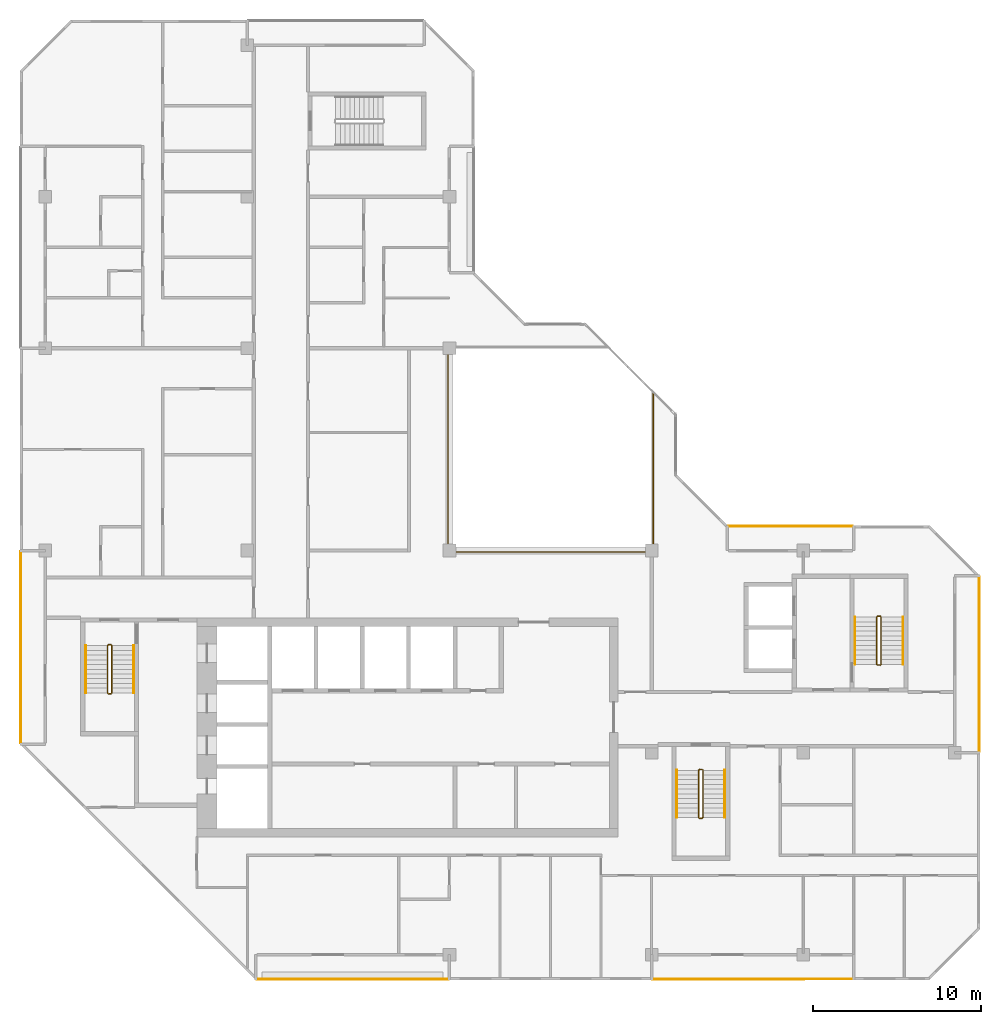
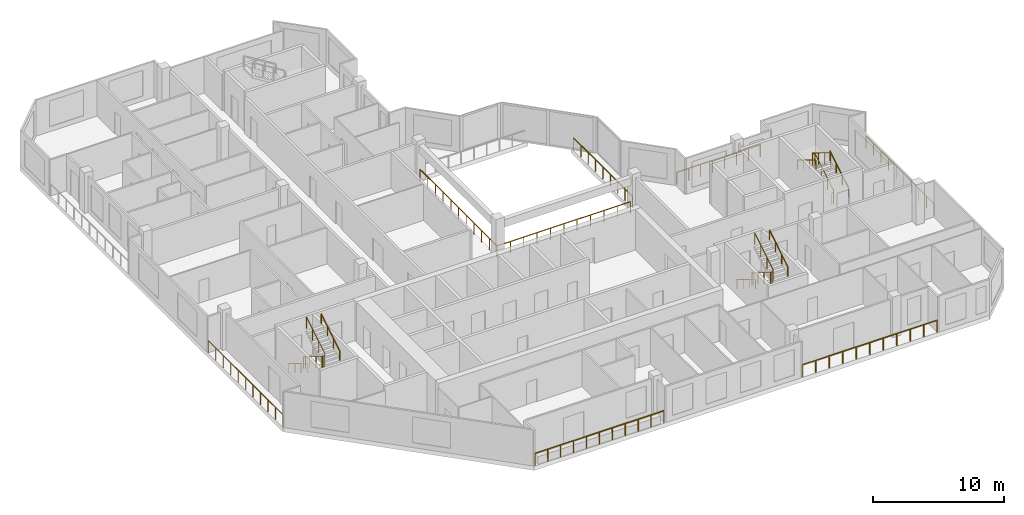
# One storey, part 11 of 12: 16 railings.
"""IFC4 building model written with IfcOpenShell, lengths in metres."""

from ifc_helpers import new_model, si_unit, direction, frame, origin, origin_2d, place, context, subcontext, project, spatial, rectangle, extrude, material, type_object, element, save


model = new_model("IFC4")

# Units and contexts
model_context = context("Model", 3, precision=1e-05, world=origin(), true_north=direction((0.0, 1.0)))
body_context = subcontext(model_context, "Body", "Model", "MODEL_VIEW")
ifc_project = project(units=[si_unit("LENGTHUNIT", "METRE"), si_unit("AREAUNIT", "SQUARE_METRE"), si_unit("VOLUMEUNIT", "CUBIC_METRE"), si_unit("PLANEANGLEUNIT", "RADIAN"), si_unit("MASSUNIT", "GRAM", prefix="KILO")], contexts=[model_context])

# Site, building, storey
site_placement = place(None, origin())
site = spatial("IfcSite", under=ifc_project, at=site_placement, CompositionType="ELEMENT")
building_placement = place(site_placement, origin())
building = spatial("IfcBuilding", under=site, at=building_placement, Name="Chenar Terraces", CompositionType="ELEMENT")
storey_placement = place(building_placement, frame((0.0, 0.0, 350.14990234375)))
storey = spatial("IfcBuildingStorey", under=building, at=storey_placement, Name="L81", CompositionType="ELEMENT", Elevation=350.14990234375)

# Railings
ifc_material_1 = material(Name="Powder-coated steel", Category="steel")
railing_type_1 = type_object("IfcRailingType", Name="Guard 1100 steel rail with glass infill", PredefinedType="GUARDRAIL", material=ifc_material_1)
railing_1_placement = place(storey_placement, frame((23.89990234375, 35.625, 0.0)))
element("IfcRailing", 1, at=railing_1_placement, inside=storey, type_object=railing_type_1, Name="Guard L81-1", PredefinedType="GUARDRAIL", context=body_context, shape_type="SweptSolid", body=[
    extrude(rectangle(XDim=0.06005859375, YDim=0.06005859375, at=origin_2d()), frame((0.0, 0.0, 1.070068359375), z_axis=(0.0, -1.0, 0.0), x_axis=(1.0, 0.0, 0.0)), (0.0, 0.0, 1.0), 11.72509765625),
    extrude(rectangle(XDim=0.06005859375, YDim=0.06005859375, at=origin_2d()), frame((0.0, -11.72509765625, 1.070068359375), z_axis=(1.0, 0.0, 0.0), x_axis=(0.0, 1.0, 0.0)), (0.0, 0.0, 1.0), 11.72509765625),
    extrude(rectangle(XDim=0.050048828125, YDim=0.050048828125, at=origin_2d()), origin(), (0.0, 0.0, 1.0), 1.0400390625),
    extrude(rectangle(XDim=0.050048828125, YDim=0.050048828125, at=origin_2d()), frame((0.0, -1.172607421875, 0.0)), (0.0, 0.0, 1.0), 1.0400390625),
    extrude(rectangle(XDim=0.050048828125, YDim=0.050048828125, at=origin_2d()), frame((0.0, -2.344970703125, 0.0)), (0.0, 0.0, 1.0), 1.0400390625),
    extrude(rectangle(XDim=0.050048828125, YDim=0.050048828125, at=origin_2d()), frame((0.0, -3.517578125, 0.0)), (0.0, 0.0, 1.0), 1.0400390625),
    extrude(rectangle(XDim=0.050048828125, YDim=0.050048828125, at=origin_2d()), frame((0.0, -4.68994140625, 0.0)), (0.0, 0.0, 1.0), 1.0400390625),
    extrude(rectangle(XDim=0.050048828125, YDim=0.050048828125, at=origin_2d()), frame((0.0, -5.862548828125, 0.0)), (0.0, 0.0, 1.0), 1.0400390625),
    extrude(rectangle(XDim=0.050048828125, YDim=0.050048828125, at=origin_2d()), frame((0.0, -7.03515625, 0.0)), (0.0, 0.0, 1.0), 1.0400390625),
    extrude(rectangle(XDim=0.050048828125, YDim=0.050048828125, at=origin_2d()), frame((0.0, -8.20751953125, 0.0)), (0.0, 0.0, 1.0), 1.0400390625),
    extrude(rectangle(XDim=0.050048828125, YDim=0.050048828125, at=origin_2d()), frame((0.0, -9.380126953125, 0.0)), (0.0, 0.0, 1.0), 1.0400390625),
    extrude(rectangle(XDim=0.050048828125, YDim=0.050048828125, at=origin_2d()), frame((0.0, -10.552490234375, 0.0)), (0.0, 0.0, 1.0), 1.0400390625),
    extrude(rectangle(XDim=0.050048828125, YDim=0.050048828125, at=origin_2d()), frame((0.0, -11.72509765625, 0.0)), (0.0, 0.0, 1.0), 1.0400390625),
    extrude(rectangle(XDim=0.050048828125, YDim=0.050048828125, at=origin_2d()), frame((1.172607421875, -11.72509765625, 0.0)), (0.0, 0.0, 1.0), 1.0400390625),
    extrude(rectangle(XDim=0.050048828125, YDim=0.050048828125, at=origin_2d()), frame((2.344970703125, -11.72509765625, 0.0)), (0.0, 0.0, 1.0), 1.0400390625),
    extrude(rectangle(XDim=0.050048828125, YDim=0.050048828125, at=origin_2d()), frame((3.517578125, -11.72509765625, 0.0)), (0.0, 0.0, 1.0), 1.0400390625),
    extrude(rectangle(XDim=0.050048828125, YDim=0.050048828125, at=origin_2d()), frame((4.68994140625, -11.72509765625, 0.0)), (0.0, 0.0, 1.0), 1.0400390625),
    extrude(rectangle(XDim=0.050048828125, YDim=0.050048828125, at=origin_2d()), frame((5.862548828125, -11.72509765625, 0.0)), (0.0, 0.0, 1.0), 1.0400390625),
    extrude(rectangle(XDim=0.050048828125, YDim=0.050048828125, at=origin_2d()), frame((7.03515625, -11.72509765625, 0.0)), (0.0, 0.0, 1.0), 1.0400390625),
    extrude(rectangle(XDim=0.050048828125, YDim=0.050048828125, at=origin_2d()), frame((8.20751953125, -11.72509765625, 0.0)), (0.0, 0.0, 1.0), 1.0400390625),
    extrude(rectangle(XDim=0.050048828125, YDim=0.050048828125, at=origin_2d()), frame((9.380126953125, -11.72509765625, 0.0)), (0.0, 0.0, 1.0), 1.0400390625),
    extrude(rectangle(XDim=0.050048828125, YDim=0.050048828125, at=origin_2d()), frame((10.552490234375, -11.72509765625, 0.0)), (0.0, 0.0, 1.0), 1.0400390625),
    extrude(rectangle(XDim=0.050048828125, YDim=0.050048828125, at=origin_2d()), frame((11.72509765625, -11.72509765625, 0.0)), (0.0, 0.0, 1.0), 1.0400390625),
])
railing_2_placement = place(storey_placement, frame((36.10009765625, 24.425048828125, 0.0)))
element("IfcRailing", 2, at=railing_2_placement, inside=storey, type_object=railing_type_1, Name="Guard L81-3", PredefinedType="GUARDRAIL", context=body_context, shape_type="SweptSolid", body=[
    extrude(rectangle(XDim=0.06005859375, YDim=0.06005859375, at=origin_2d()), frame((0.0, 0.0, 1.070068359375), z_axis=(0.0, 1.0, 0.0), x_axis=(-1.0, 0.0, 0.0)), (0.0, 0.0, 1.0), 8.974853515625),
    extrude(rectangle(XDim=0.050048828125, YDim=0.050048828125, at=origin_2d()), origin(), (0.0, 0.0, 1.0), 1.0400390625),
    extrude(rectangle(XDim=0.050048828125, YDim=0.050048828125, at=origin_2d()), frame((0.0, 1.121826171875, 0.0)), (0.0, 0.0, 1.0), 1.0400390625),
    extrude(rectangle(XDim=0.050048828125, YDim=0.050048828125, at=origin_2d()), frame((0.0, 2.24365234375, 0.0)), (0.0, 0.0, 1.0), 1.0400390625),
    extrude(rectangle(XDim=0.050048828125, YDim=0.050048828125, at=origin_2d()), frame((0.0, 3.365478515625, 0.0)), (0.0, 0.0, 1.0), 1.0400390625),
    extrude(rectangle(XDim=0.050048828125, YDim=0.050048828125, at=origin_2d()), frame((0.0, 4.4873046875, 0.0)), (0.0, 0.0, 1.0), 1.0400390625),
    extrude(rectangle(XDim=0.050048828125, YDim=0.050048828125, at=origin_2d()), frame((0.0, 5.609375, 0.0)), (0.0, 0.0, 1.0), 1.0400390625),
    extrude(rectangle(XDim=0.050048828125, YDim=0.050048828125, at=origin_2d()), frame((0.0, 6.731201171875, 0.0)), (0.0, 0.0, 1.0), 1.0400390625),
    extrude(rectangle(XDim=0.050048828125, YDim=0.050048828125, at=origin_2d()), frame((0.0, 7.85302734375, 0.0)), (0.0, 0.0, 1.0), 1.0400390625),
    extrude(rectangle(XDim=0.050048828125, YDim=0.050048828125, at=origin_2d()), frame((0.0, 8.974853515625, 0.0)), (0.0, 0.0, 1.0), 1.0400390625),
])
ifc_material_2 = material(Name="Stainless steel and glass", Category="steel")
railing_type_2 = type_object("IfcRailingType", Name="Loggia guard 1150", PredefinedType="GUARDRAIL", material=ifc_material_2)
railing_3_placement = place(storey_placement, frame((55.449951171875, 12.074951171875, 0.0)))
element("IfcRailing", 3, at=railing_3_placement, inside=storey, type_object=railing_type_2, Name="Loggia guard", PredefinedType="GUARDRAIL", context=body_context, shape_type="SweptSolid", body=[
    extrude(rectangle(XDim=0.048095703125, YDim=0.048095703125, at=origin_2d()), frame((0.0, 0.0, 1.1259765625), z_axis=(0.0, 1.0, 0.0), x_axis=(-1.0, 0.0, 0.0)), (0.0, 0.0, 1.0), 10.35009765625),
    extrude(rectangle(XDim=0.0419921875, YDim=0.0419921875, at=origin_2d()), origin(), (0.0, 0.0, 1.0), 1.101806640625),
    extrude(rectangle(XDim=0.0419921875, YDim=0.0419921875, at=origin_2d()), frame((0.0, 1.14990234375, 0.0)), (0.0, 0.0, 1.0), 1.101806640625),
    extrude(rectangle(XDim=0.0419921875, YDim=0.0419921875, at=origin_2d()), frame((0.0, 2.300048828125, 0.0)), (0.0, 0.0, 1.0), 1.101806640625),
    extrude(rectangle(XDim=0.0419921875, YDim=0.0419921875, at=origin_2d()), frame((0.0, 3.449951171875, 0.0)), (0.0, 0.0, 1.0), 1.101806640625),
    extrude(rectangle(XDim=0.0419921875, YDim=0.0419921875, at=origin_2d()), frame((0.0, 4.60009765625, 0.0)), (0.0, 0.0, 1.0), 1.101806640625),
    extrude(rectangle(XDim=0.0419921875, YDim=0.0419921875, at=origin_2d()), frame((0.0, 5.75, 0.0)), (0.0, 0.0, 1.0), 1.101806640625),
    extrude(rectangle(XDim=0.0419921875, YDim=0.0419921875, at=origin_2d()), frame((0.0, 6.900146484375, 0.0)), (0.0, 0.0, 1.0), 1.101806640625),
    extrude(rectangle(XDim=0.0419921875, YDim=0.0419921875, at=origin_2d()), frame((0.0, 8.050048828125, 0.0)), (0.0, 0.0, 1.0), 1.101806640625),
    extrude(rectangle(XDim=0.0419921875, YDim=0.0419921875, at=origin_2d()), frame((0.0, 9.2001953125, 0.0)), (0.0, 0.0, 1.0), 1.101806640625),
    extrude(rectangle(XDim=0.0419921875, YDim=0.0419921875, at=origin_2d()), frame((0.0, 10.35009765625, 0.0)), (0.0, 0.0, 1.0), 1.101806640625),
])
railing_4_placement = place(storey_placement, frame((47.925048828125, 25.449951171875, 0.0)))
element("IfcRailing", 4, at=railing_4_placement, inside=storey, type_object=railing_type_2, Name="Loggia guard", PredefinedType="GUARDRAIL", context=body_context, shape_type="SweptSolid", body=[
    extrude(rectangle(XDim=0.048095703125, YDim=0.048095703125, at=origin_2d()), frame((0.0, 0.0, 1.1259765625), z_axis=(-1.0, 0.0, 0.0), x_axis=(0.0, -1.0, 0.0)), (0.0, 0.0, 1.0), 7.35009765625),
    extrude(rectangle(XDim=0.0419921875, YDim=0.0419921875, at=origin_2d()), origin(), (0.0, 0.0, 1.0), 1.101806640625),
    extrude(rectangle(XDim=0.0419921875, YDim=0.0419921875, at=origin_2d()), frame((-1.050048828125, 0.0, 0.0)), (0.0, 0.0, 1.0), 1.101806640625),
    extrude(rectangle(XDim=0.0419921875, YDim=0.0419921875, at=origin_2d()), frame((-2.10009765625, 0.0, 0.0)), (0.0, 0.0, 1.0), 1.101806640625),
    extrude(rectangle(XDim=0.0419921875, YDim=0.0419921875, at=origin_2d()), frame((-3.150146484375, 0.0, 0.0)), (0.0, 0.0, 1.0), 1.101806640625),
    extrude(rectangle(XDim=0.0419921875, YDim=0.0419921875, at=origin_2d()), frame((-4.199951171875, 0.0, 0.0)), (0.0, 0.0, 1.0), 1.101806640625),
    extrude(rectangle(XDim=0.0419921875, YDim=0.0419921875, at=origin_2d()), frame((-5.25, 0.0, 0.0)), (0.0, 0.0, 1.0), 1.101806640625),
    extrude(rectangle(XDim=0.0419921875, YDim=0.0419921875, at=origin_2d()), frame((-6.300048828125, 0.0, 0.0)), (0.0, 0.0, 1.0), 1.101806640625),
    extrude(rectangle(XDim=0.0419921875, YDim=0.0419921875, at=origin_2d()), frame((-7.35009765625, 0.0, 0.0)), (0.0, 0.0, 1.0), 1.101806640625),
])
railing_5_placement = place(storey_placement, frame((12.574951171875, -1.449951171875, 0.0)))
element("IfcRailing", 5, at=railing_5_placement, inside=storey, type_object=railing_type_2, Name="Loggia guard", PredefinedType="GUARDRAIL", context=body_context, shape_type="SweptSolid", body=[
    extrude(rectangle(XDim=0.048095703125, YDim=0.048095703125, at=origin_2d()), frame((0.0, 0.0, 1.1259765625), z_axis=(1.0, 0.0, 0.0), x_axis=(0.0, 1.0, 0.0)), (0.0, 0.0, 1.0), 11.35009765625),
    extrude(rectangle(XDim=0.0419921875, YDim=0.0419921875, at=origin_2d()), origin(), (0.0, 0.0, 1.0), 1.101806640625),
    extrude(rectangle(XDim=0.0419921875, YDim=0.0419921875, at=origin_2d()), frame((1.135009765625, 0.0, 0.0)), (0.0, 0.0, 1.0), 1.101806640625),
    extrude(rectangle(XDim=0.0419921875, YDim=0.0419921875, at=origin_2d()), frame((2.27001953125, 0.0, 0.0)), (0.0, 0.0, 1.0), 1.101806640625),
    extrude(rectangle(XDim=0.0419921875, YDim=0.0419921875, at=origin_2d()), frame((3.405029296875, 0.0, 0.0)), (0.0, 0.0, 1.0), 1.101806640625),
    extrude(rectangle(XDim=0.0419921875, YDim=0.0419921875, at=origin_2d()), frame((4.5400390625, 0.0, 0.0)), (0.0, 0.0, 1.0), 1.101806640625),
    extrude(rectangle(XDim=0.0419921875, YDim=0.0419921875, at=origin_2d()), frame((5.675048828125, 0.0, 0.0)), (0.0, 0.0, 1.0), 1.101806640625),
    extrude(rectangle(XDim=0.0419921875, YDim=0.0419921875, at=origin_2d()), frame((6.81005859375, 0.0, 0.0)), (0.0, 0.0, 1.0), 1.101806640625),
    extrude(rectangle(XDim=0.0419921875, YDim=0.0419921875, at=origin_2d()), frame((7.945068359375, 0.0, 0.0)), (0.0, 0.0, 1.0), 1.101806640625),
    extrude(rectangle(XDim=0.0419921875, YDim=0.0419921875, at=origin_2d()), frame((9.080078125, 0.0, 0.0)), (0.0, 0.0, 1.0), 1.101806640625),
    extrude(rectangle(XDim=0.0419921875, YDim=0.0419921875, at=origin_2d()), frame((10.215087890625, 0.0, 0.0)), (0.0, 0.0, 1.0), 1.101806640625),
    extrude(rectangle(XDim=0.0419921875, YDim=0.0419921875, at=origin_2d()), frame((11.35009765625, 0.0, 0.0)), (0.0, 0.0, 1.0), 1.101806640625),
])
railing_6_placement = place(storey_placement, frame((36.074951171875, -1.449951171875, 0.0)))
element("IfcRailing", 6, at=railing_6_placement, inside=storey, type_object=railing_type_2, Name="Loggia guard", PredefinedType="GUARDRAIL", context=body_context, shape_type="SweptSolid", body=[
    extrude(rectangle(XDim=0.048095703125, YDim=0.048095703125, at=origin_2d()), frame((0.0, 0.0, 1.1259765625), z_axis=(1.0, 0.0, 0.0), x_axis=(0.0, 1.0, 0.0)), (0.0, 0.0, 1.0), 11.85009765625),
    extrude(rectangle(XDim=0.0419921875, YDim=0.0419921875, at=origin_2d()), origin(), (0.0, 0.0, 1.0), 1.101806640625),
    extrude(rectangle(XDim=0.0419921875, YDim=0.0419921875, at=origin_2d()), frame((1.18505859375, 0.0, 0.0)), (0.0, 0.0, 1.0), 1.101806640625),
    extrude(rectangle(XDim=0.0419921875, YDim=0.0419921875, at=origin_2d()), frame((2.3701171875, 0.0, 0.0)), (0.0, 0.0, 1.0), 1.101806640625),
    extrude(rectangle(XDim=0.0419921875, YDim=0.0419921875, at=origin_2d()), frame((3.554931640625, 0.0, 0.0)), (0.0, 0.0, 1.0), 1.101806640625),
    extrude(rectangle(XDim=0.0419921875, YDim=0.0419921875, at=origin_2d()), frame((4.739990234375, 0.0, 0.0)), (0.0, 0.0, 1.0), 1.101806640625),
    extrude(rectangle(XDim=0.0419921875, YDim=0.0419921875, at=origin_2d()), frame((5.925048828125, 0.0, 0.0)), (0.0, 0.0, 1.0), 1.101806640625),
    extrude(rectangle(XDim=0.0419921875, YDim=0.0419921875, at=origin_2d()), frame((7.110107421875, 0.0, 0.0)), (0.0, 0.0, 1.0), 1.101806640625),
    extrude(rectangle(XDim=0.0419921875, YDim=0.0419921875, at=origin_2d()), frame((8.295166015625, 0.0, 0.0)), (0.0, 0.0, 1.0), 1.101806640625),
    extrude(rectangle(XDim=0.0419921875, YDim=0.0419921875, at=origin_2d()), frame((9.47998046875, 0.0, 0.0)), (0.0, 0.0, 1.0), 1.101806640625),
    extrude(rectangle(XDim=0.0419921875, YDim=0.0419921875, at=origin_2d()), frame((10.6650390625, 0.0, 0.0)), (0.0, 0.0, 1.0), 1.101806640625),
    extrude(rectangle(XDim=0.0419921875, YDim=0.0419921875, at=origin_2d()), frame((11.85009765625, 0.0, 0.0)), (0.0, 0.0, 1.0), 1.101806640625),
])
railing_7_placement = place(storey_placement, frame((-1.449951171875, 23.925048828125, 0.0)))
element("IfcRailing", 7, at=railing_7_placement, inside=storey, type_object=railing_type_2, Name="Loggia guard", PredefinedType="GUARDRAIL", context=body_context, shape_type="SweptSolid", body=[
    extrude(rectangle(XDim=0.048095703125, YDim=0.048095703125, at=origin_2d()), frame((0.0, 0.0, 1.1259765625), z_axis=(0.0, -1.0, 0.0), x_axis=(1.0, 0.0, 0.0)), (0.0, 0.0, 1.0), 11.35009765625),
    extrude(rectangle(XDim=0.0419921875, YDim=0.0419921875, at=origin_2d()), origin(), (0.0, 0.0, 1.0), 1.101806640625),
    extrude(rectangle(XDim=0.0419921875, YDim=0.0419921875, at=origin_2d()), frame((0.0, -1.135009765625, 0.0)), (0.0, 0.0, 1.0), 1.101806640625),
    extrude(rectangle(XDim=0.0419921875, YDim=0.0419921875, at=origin_2d()), frame((0.0, -2.27001953125, 0.0)), (0.0, 0.0, 1.0), 1.101806640625),
    extrude(rectangle(XDim=0.0419921875, YDim=0.0419921875, at=origin_2d()), frame((0.0, -3.405029296875, 0.0)), (0.0, 0.0, 1.0), 1.101806640625),
    extrude(rectangle(XDim=0.0419921875, YDim=0.0419921875, at=origin_2d()), frame((0.0, -4.5400390625, 0.0)), (0.0, 0.0, 1.0), 1.101806640625),
    extrude(rectangle(XDim=0.0419921875, YDim=0.0419921875, at=origin_2d()), frame((0.0, -5.675048828125, 0.0)), (0.0, 0.0, 1.0), 1.101806640625),
    extrude(rectangle(XDim=0.0419921875, YDim=0.0419921875, at=origin_2d()), frame((0.0, -6.81005859375, 0.0)), (0.0, 0.0, 1.0), 1.101806640625),
    extrude(rectangle(XDim=0.0419921875, YDim=0.0419921875, at=origin_2d()), frame((0.0, -7.945068359375, 0.0)), (0.0, 0.0, 1.0), 1.101806640625),
    extrude(rectangle(XDim=0.0419921875, YDim=0.0419921875, at=origin_2d()), frame((0.0, -9.080078125, 0.0)), (0.0, 0.0, 1.0), 1.101806640625),
    extrude(rectangle(XDim=0.0419921875, YDim=0.0419921875, at=origin_2d()), frame((0.0, -10.215087890625, 0.0)), (0.0, 0.0, 1.0), 1.101806640625),
    extrude(rectangle(XDim=0.0419921875, YDim=0.0419921875, at=origin_2d()), frame((0.0, -11.35009765625, 0.0)), (0.0, 0.0, 1.0), 1.101806640625),
])
ifc_material_3 = material(Name="Powder-coated steel", Category="steel")
railing_type_3 = type_object("IfcRailingType", Name="Stair guard 1100", PredefinedType="GUARDRAIL", material=ifc_material_3)
railing_8_placement = place(storey_placement, frame((3.949951171875, 18.35009765625, 3.75)))
element("IfcRailing", 8, at=railing_8_placement, inside=storey, type_object=railing_type_3, Name="L81 ST1 stair guard 1", PredefinedType="GUARDRAIL", context=body_context, shape_type="SweptSolid", body=[
    extrude(rectangle(XDim=0.048095703125, YDim=0.048095703125, at=origin_2d()), frame((0.0, 0.0, 1.076171875), z_axis=(0.0, -0.854202870247, -0.519939858505), x_axis=(1.0, 0.0, 0.0)), (0.0, 0.0, 1.0), 3.278076171875),
    extrude(rectangle(XDim=0.048095703125, YDim=0.048095703125, at=origin_2d()), frame((0.0, -2.800048828125, -0.62841796875), z_axis=(-0.270899902878, -0.270899902878, -0.923702595667), x_axis=(0.707106781187, -0.707106781187, 0.0)), (0.0, 0.0, 1.0), 0.184814453125),
    extrude(rectangle(XDim=0.048095703125, YDim=0.048095703125, at=origin_2d()), frame((-0.050048828125, -2.85009765625, -0.798828125), z_axis=(-1.0, 0.0, 0.0), x_axis=(0.0, -1.0, 0.0)), (0.0, 0.0, 1.0), 0.14990234375),
    extrude(rectangle(XDim=0.048095703125, YDim=0.048095703125, at=origin_2d()), frame((-0.199951171875, -2.85009765625, -0.798828125), z_axis=(-0.707106781187, 0.707106781187, 0.0), x_axis=(-0.707106781187, -0.707106781187, 0.0)), (0.0, 0.0, 1.0), 0.07080078125),
    extrude(rectangle(XDim=0.048095703125, YDim=0.048095703125, at=origin_2d()), frame((-0.25, -2.800048828125, -0.798828125), z_axis=(0.0, 0.854202870247, -0.519939858505), x_axis=(-1.0, 0.0, 0.0)), (0.0, 0.0, 1.0), 3.278076171875),
    extrude(rectangle(XDim=0.048095703125, YDim=0.048095703125, at=origin_2d()), frame((-0.25, 0.0, -2.50341796875), z_axis=(0.270996696079, 0.269674760976, -0.924032636873), x_axis=(-0.705375805398, 0.708833529934, 0.0)), (0.0, 0.0, 1.0), 0.1845703125),
    extrude(rectangle(XDim=0.048095703125, YDim=0.048095703125, at=origin_2d()), frame((-0.199951171875, 0.0498046875, -2.673828125), z_axis=(1.0, 0.0, 0.0), x_axis=(0.0, 1.0, 0.0)), (0.0, 0.0, 1.0), 0.14990234375),
    extrude(rectangle(XDim=0.0419921875, YDim=0.0419921875, at=origin_2d()), origin(), (0.0, 0.0, 1.0), 1.052001953125),
    extrude(rectangle(XDim=0.0419921875, YDim=0.0419921875, at=origin_2d()), frame((0.0, -0.933349609375, -0.568115234375)), (0.0, 0.0, 1.0), 1.052001953125),
    extrude(rectangle(XDim=0.0419921875, YDim=0.0419921875, at=origin_2d()), frame((0.0, -1.86669921875, -1.13623046875)), (0.0, 0.0, 1.0), 1.052001953125),
    extrude(rectangle(XDim=0.0419921875, YDim=0.0419921875, at=origin_2d()), frame((0.0, -2.800048828125, -1.704345703125)), (0.0, 0.0, 1.0), 1.052001953125),
    extrude(rectangle(XDim=0.0419921875, YDim=0.0419921875, at=origin_2d()), frame((-0.050048828125, -2.85009765625, -1.875)), (0.0, 0.0, 1.0), 1.052001953125),
    extrude(rectangle(XDim=0.0419921875, YDim=0.0419921875, at=origin_2d()), frame((-0.199951171875, -2.85009765625, -1.875)), (0.0, 0.0, 1.0), 1.052001953125),
    extrude(rectangle(XDim=0.0419921875, YDim=0.0419921875, at=origin_2d()), frame((-0.25, -2.800048828125, -1.875)), (0.0, 0.0, 1.0), 1.052001953125),
    extrude(rectangle(XDim=0.0419921875, YDim=0.0419921875, at=origin_2d()), frame((-0.25, -1.86669921875, -2.443115234375)), (0.0, 0.0, 1.0), 1.052001953125),
    extrude(rectangle(XDim=0.0419921875, YDim=0.0419921875, at=origin_2d()), frame((-0.25, -0.933349609375, -3.01123046875)), (0.0, 0.0, 1.0), 1.052001953125),
    extrude(rectangle(XDim=0.0419921875, YDim=0.0419921875, at=origin_2d()), frame((-0.25, 0.0, -3.579345703125)), (0.0, 0.0, 1.0), 1.052001953125),
    extrude(rectangle(XDim=0.0419921875, YDim=0.0419921875, at=origin_2d()), frame((-0.199951171875, 0.0498046875, -3.75)), (0.0, 0.0, 1.0), 1.052001953125),
    extrude(rectangle(XDim=0.0419921875, YDim=0.0419921875, at=origin_2d()), frame((-0.050048828125, 0.0498046875, -3.75)), (0.0, 0.0, 1.0), 1.052001953125),
])
railing_9_placement = place(storey_placement, frame((39.050048828125, 10.949951171875, 3.75)))
element("IfcRailing", 9, at=railing_9_placement, inside=storey, type_object=railing_type_3, Name="L81 ST2 stair guard 1", PredefinedType="GUARDRAIL", context=body_context, shape_type="SweptSolid", body=[
    extrude(rectangle(XDim=0.048095703125, YDim=0.048095703125, at=origin_2d()), frame((0.0, 0.0, 1.076171875), z_axis=(0.0, -0.854202870247, -0.519939858505), x_axis=(1.0, 0.0, 0.0)), (0.0, 0.0, 1.0), 3.278076171875),
    extrude(rectangle(XDim=0.048095703125, YDim=0.048095703125, at=origin_2d()), frame((0.0, -2.800048828125, -0.62841796875), z_axis=(-0.270996696079, -0.269674760976, -0.924032636873), x_axis=(0.705375805398, -0.708833529934, 0.0)), (0.0, 0.0, 1.0), 0.1845703125),
    extrude(rectangle(XDim=0.048095703125, YDim=0.048095703125, at=origin_2d()), frame((-0.050048828125, -2.849853515625, -0.798828125), z_axis=(-1.0, 0.0, 0.0), x_axis=(0.0, -1.0, 0.0)), (0.0, 0.0, 1.0), 0.14990234375),
    extrude(rectangle(XDim=0.048095703125, YDim=0.048095703125, at=origin_2d()), frame((-0.199951171875, -2.849853515625, -0.798828125), z_axis=(-0.708833529934, 0.705375805398, 0.0), x_axis=(-0.705375805398, -0.708833529934, 0.0)), (0.0, 0.0, 1.0), 0.070556640625),
    extrude(rectangle(XDim=0.048095703125, YDim=0.048095703125, at=origin_2d()), frame((-0.25, -2.800048828125, -0.798828125), z_axis=(0.0, 0.854202870247, -0.519939858505), x_axis=(-1.0, 0.0, 0.0)), (0.0, 0.0, 1.0), 3.278076171875),
    extrude(rectangle(XDim=0.048095703125, YDim=0.048095703125, at=origin_2d()), frame((-0.25, 0.0, -2.50341796875), z_axis=(0.270899902878, 0.270899902878, -0.923702595667), x_axis=(-0.707106781187, 0.707106781187, 0.0)), (0.0, 0.0, 1.0), 0.184814453125),
    extrude(rectangle(XDim=0.048095703125, YDim=0.048095703125, at=origin_2d()), frame((-0.199951171875, 0.050048828125, -2.673828125), z_axis=(1.0, 0.0, 0.0), x_axis=(0.0, 1.0, 0.0)), (0.0, 0.0, 1.0), 0.14990234375),
    extrude(rectangle(XDim=0.0419921875, YDim=0.0419921875, at=origin_2d()), origin(), (0.0, 0.0, 1.0), 1.052001953125),
    extrude(rectangle(XDim=0.0419921875, YDim=0.0419921875, at=origin_2d()), frame((0.0, -0.933349609375, -0.568115234375)), (0.0, 0.0, 1.0), 1.052001953125),
    extrude(rectangle(XDim=0.0419921875, YDim=0.0419921875, at=origin_2d()), frame((0.0, -1.86669921875, -1.13623046875)), (0.0, 0.0, 1.0), 1.052001953125),
    extrude(rectangle(XDim=0.0419921875, YDim=0.0419921875, at=origin_2d()), frame((0.0, -2.800048828125, -1.704345703125)), (0.0, 0.0, 1.0), 1.052001953125),
    extrude(rectangle(XDim=0.0419921875, YDim=0.0419921875, at=origin_2d()), frame((-0.050048828125, -2.849853515625, -1.875)), (0.0, 0.0, 1.0), 1.052001953125),
    extrude(rectangle(XDim=0.0419921875, YDim=0.0419921875, at=origin_2d()), frame((-0.199951171875, -2.849853515625, -1.875)), (0.0, 0.0, 1.0), 1.052001953125),
    extrude(rectangle(XDim=0.0419921875, YDim=0.0419921875, at=origin_2d()), frame((-0.25, -2.800048828125, -1.875)), (0.0, 0.0, 1.0), 1.052001953125),
    extrude(rectangle(XDim=0.0419921875, YDim=0.0419921875, at=origin_2d()), frame((-0.25, -1.86669921875, -2.443115234375)), (0.0, 0.0, 1.0), 1.052001953125),
    extrude(rectangle(XDim=0.0419921875, YDim=0.0419921875, at=origin_2d()), frame((-0.25, -0.933349609375, -3.01123046875)), (0.0, 0.0, 1.0), 1.052001953125),
    extrude(rectangle(XDim=0.0419921875, YDim=0.0419921875, at=origin_2d()), frame((-0.25, 0.0, -3.579345703125)), (0.0, 0.0, 1.0), 1.052001953125),
    extrude(rectangle(XDim=0.0419921875, YDim=0.0419921875, at=origin_2d()), frame((-0.199951171875, 0.050048828125, -3.75)), (0.0, 0.0, 1.0), 1.052001953125),
    extrude(rectangle(XDim=0.0419921875, YDim=0.0419921875, at=origin_2d()), frame((-0.050048828125, 0.050048828125, -3.75)), (0.0, 0.0, 1.0), 1.052001953125),
])
railing_10_placement = place(storey_placement, frame((49.375, 17.25, 3.75)))
element("IfcRailing", 10, at=railing_10_placement, inside=storey, type_object=railing_type_3, Name="L81 ST3 stair guard 1", PredefinedType="GUARDRAIL", context=body_context, shape_type="SweptSolid", body=[
    extrude(rectangle(XDim=0.048095703125, YDim=0.048095703125, at=origin_2d()), frame((0.0, 0.0, 1.076171875), z_axis=(0.0, 0.854202870247, -0.519939858505), x_axis=(-1.0, 0.0, 0.0)), (0.0, 0.0, 1.0), 3.278076171875),
    extrude(rectangle(XDim=0.048095703125, YDim=0.048095703125, at=origin_2d()), frame((0.0, 2.800048828125, -0.62841796875), z_axis=(0.270899902878, 0.270899902878, -0.923702595667), x_axis=(-0.707106781187, 0.707106781187, 0.0)), (0.0, 0.0, 1.0), 0.184814453125),
    extrude(rectangle(XDim=0.048095703125, YDim=0.048095703125, at=origin_2d()), frame((0.050048828125, 2.85009765625, -0.798828125), z_axis=(1.0, 0.0, 0.0), x_axis=(0.0, 1.0, 0.0)), (0.0, 0.0, 1.0), 0.14990234375),
    extrude(rectangle(XDim=0.048095703125, YDim=0.048095703125, at=origin_2d()), frame((0.199951171875, 2.85009765625, -0.798828125), z_axis=(0.707106781187, -0.707106781187, 0.0), x_axis=(0.707106781187, 0.707106781187, 0.0)), (0.0, 0.0, 1.0), 0.07080078125),
    extrude(rectangle(XDim=0.048095703125, YDim=0.048095703125, at=origin_2d()), frame((0.25, 2.800048828125, -0.798828125), z_axis=(0.0, -0.854202870247, -0.519939858505), x_axis=(1.0, 0.0, 0.0)), (0.0, 0.0, 1.0), 3.278076171875),
    extrude(rectangle(XDim=0.048095703125, YDim=0.048095703125, at=origin_2d()), frame((0.25, 0.0, -2.50341796875), z_axis=(-0.270899902878, -0.270899902878, -0.923702595667), x_axis=(0.707106781187, -0.707106781187, 0.0)), (0.0, 0.0, 1.0), 0.184814453125),
    extrude(rectangle(XDim=0.048095703125, YDim=0.048095703125, at=origin_2d()), frame((0.199951171875, -0.050048828125, -2.673828125), z_axis=(-1.0, 0.0, 0.0), x_axis=(0.0, -1.0, 0.0)), (0.0, 0.0, 1.0), 0.14990234375),
    extrude(rectangle(XDim=0.0419921875, YDim=0.0419921875, at=origin_2d()), origin(), (0.0, 0.0, 1.0), 1.052001953125),
    extrude(rectangle(XDim=0.0419921875, YDim=0.0419921875, at=origin_2d()), frame((0.0, 0.933349609375, -0.568115234375)), (0.0, 0.0, 1.0), 1.052001953125),
    extrude(rectangle(XDim=0.0419921875, YDim=0.0419921875, at=origin_2d()), frame((0.0, 1.86669921875, -1.13623046875)), (0.0, 0.0, 1.0), 1.052001953125),
    extrude(rectangle(XDim=0.0419921875, YDim=0.0419921875, at=origin_2d()), frame((0.0, 2.800048828125, -1.704345703125)), (0.0, 0.0, 1.0), 1.052001953125),
    extrude(rectangle(XDim=0.0419921875, YDim=0.0419921875, at=origin_2d()), frame((0.050048828125, 2.85009765625, -1.875)), (0.0, 0.0, 1.0), 1.052001953125),
    extrude(rectangle(XDim=0.0419921875, YDim=0.0419921875, at=origin_2d()), frame((0.199951171875, 2.85009765625, -1.875)), (0.0, 0.0, 1.0), 1.052001953125),
    extrude(rectangle(XDim=0.0419921875, YDim=0.0419921875, at=origin_2d()), frame((0.25, 2.800048828125, -1.875)), (0.0, 0.0, 1.0), 1.052001953125),
    extrude(rectangle(XDim=0.0419921875, YDim=0.0419921875, at=origin_2d()), frame((0.25, 1.86669921875, -2.443115234375)), (0.0, 0.0, 1.0), 1.052001953125),
    extrude(rectangle(XDim=0.0419921875, YDim=0.0419921875, at=origin_2d()), frame((0.25, 0.933349609375, -3.01123046875)), (0.0, 0.0, 1.0), 1.052001953125),
    extrude(rectangle(XDim=0.0419921875, YDim=0.0419921875, at=origin_2d()), frame((0.25, 0.0, -3.579345703125)), (0.0, 0.0, 1.0), 1.052001953125),
    extrude(rectangle(XDim=0.0419921875, YDim=0.0419921875, at=origin_2d()), frame((0.199951171875, -0.050048828125, -3.75)), (0.0, 0.0, 1.0), 1.052001953125),
    extrude(rectangle(XDim=0.0419921875, YDim=0.0419921875, at=origin_2d()), frame((0.050048828125, -0.050048828125, -3.75)), (0.0, 0.0, 1.0), 1.052001953125),
])
ifc_material_4 = material(Name="Powder-coated steel", Category="steel")
railing_type_4 = type_object("IfcRailingType", Name="Stair handrail 900", PredefinedType="HANDRAIL", material=ifc_material_4)
railing_11_placement = place(storey_placement, frame((2.39990234375, 18.35009765625, 0.170654296875)))
element("IfcRailing", 11, at=railing_11_placement, inside=storey, type_object=railing_type_4, Name="L81 ST1 stair handrail 1", PredefinedType="HANDRAIL", context=body_context, shape_type="SweptSolid", body=[
    extrude(rectangle(XDim=0.048095703125, YDim=0.048095703125, at=origin_2d()), frame((0.0, 0.0, 0.8759765625), z_axis=(0.0, -0.854202870247, 0.519939858505), x_axis=(1.0, 0.0, 0.0)), (0.0, 0.0, 1.0), 3.278076171875),
    extrude(rectangle(XDim=0.0419921875, YDim=0.0419921875, at=origin_2d()), origin(), (0.0, 0.0, 1.0), 0.851806640625),
    extrude(rectangle(XDim=0.0419921875, YDim=0.0419921875, at=origin_2d()), frame((0.0, -0.933349609375, 0.568115234375)), (0.0, 0.0, 1.0), 0.851806640625),
    extrude(rectangle(XDim=0.0419921875, YDim=0.0419921875, at=origin_2d()), frame((0.0, -1.86669921875, 1.13623046875)), (0.0, 0.0, 1.0), 0.851806640625),
    extrude(rectangle(XDim=0.0419921875, YDim=0.0419921875, at=origin_2d()), frame((0.0, -2.800048828125, 1.704345703125)), (0.0, 0.0, 1.0), 0.851806640625),
])
railing_12_placement = place(storey_placement, frame((5.25, 15.550048828125, 2.045654296875)))
element("IfcRailing", 12, at=railing_12_placement, inside=storey, type_object=railing_type_4, Name="L81 ST1 stair handrail 2", PredefinedType="HANDRAIL", context=body_context, shape_type="SweptSolid", body=[
    extrude(rectangle(XDim=0.048095703125, YDim=0.048095703125, at=origin_2d()), frame((0.0, 0.0, 0.8759765625), z_axis=(0.0, 0.854202870247, 0.519939858505), x_axis=(-1.0, 0.0, 0.0)), (0.0, 0.0, 1.0), 3.278076171875),
    extrude(rectangle(XDim=0.0419921875, YDim=0.0419921875, at=origin_2d()), origin(), (0.0, 0.0, 1.0), 0.851806640625),
    extrude(rectangle(XDim=0.0419921875, YDim=0.0419921875, at=origin_2d()), frame((0.0, 0.933349609375, 0.568115234375)), (0.0, 0.0, 1.0), 0.851806640625),
    extrude(rectangle(XDim=0.0419921875, YDim=0.0419921875, at=origin_2d()), frame((0.0, 1.86669921875, 1.13623046875)), (0.0, 0.0, 1.0), 0.851806640625),
    extrude(rectangle(XDim=0.0419921875, YDim=0.0419921875, at=origin_2d()), frame((0.0, 2.800048828125, 1.704345703125)), (0.0, 0.0, 1.0), 0.851806640625),
])
railing_13_placement = place(storey_placement, frame((37.5, 10.949951171875, 0.170654296875)))
element("IfcRailing", 13, at=railing_13_placement, inside=storey, type_object=railing_type_4, Name="L81 ST2 stair handrail 1", PredefinedType="HANDRAIL", context=body_context, shape_type="SweptSolid", body=[
    extrude(rectangle(XDim=0.048095703125, YDim=0.048095703125, at=origin_2d()), frame((0.0, 0.0, 0.8759765625), z_axis=(0.0, -0.854202870247, 0.519939858505), x_axis=(1.0, 0.0, 0.0)), (0.0, 0.0, 1.0), 3.278076171875),
    extrude(rectangle(XDim=0.0419921875, YDim=0.0419921875, at=origin_2d()), origin(), (0.0, 0.0, 1.0), 0.851806640625),
    extrude(rectangle(XDim=0.0419921875, YDim=0.0419921875, at=origin_2d()), frame((0.0, -0.933349609375, 0.568115234375)), (0.0, 0.0, 1.0), 0.851806640625),
    extrude(rectangle(XDim=0.0419921875, YDim=0.0419921875, at=origin_2d()), frame((0.0, -1.86669921875, 1.13623046875)), (0.0, 0.0, 1.0), 0.851806640625),
    extrude(rectangle(XDim=0.0419921875, YDim=0.0419921875, at=origin_2d()), frame((0.0, -2.800048828125, 1.704345703125)), (0.0, 0.0, 1.0), 0.851806640625),
])
for number, where, name in (
    (14, (40.35009765625, 8.14990234375, 2.045654296875), "L81 ST2 stair handrail 2"),
    (15, (50.925048828125, 17.25, 0.170654296875), "L81 ST3 stair handrail 1"),
):
    element("IfcRailing", number, at=place(storey_placement, frame(where)), inside=storey, type_object=railing_type_4, Name=name, PredefinedType="HANDRAIL", context=body_context, shape_type="SweptSolid", body=[
        extrude(rectangle(XDim=0.048095703125, YDim=0.048095703125, at=origin_2d()), frame((0.0, 0.0, 0.8759765625), z_axis=(0.0, 0.854202870247, 0.519939858505), x_axis=(-1.0, 0.0, 0.0)), (0.0, 0.0, 1.0), 3.278076171875),
        extrude(rectangle(XDim=0.0419921875, YDim=0.0419921875, at=origin_2d()), origin(), (0.0, 0.0, 1.0), 0.851806640625),
        extrude(rectangle(XDim=0.0419921875, YDim=0.0419921875, at=origin_2d()), frame((0.0, 0.933349609375, 0.568115234375)), (0.0, 0.0, 1.0), 0.851806640625),
        extrude(rectangle(XDim=0.0419921875, YDim=0.0419921875, at=origin_2d()), frame((0.0, 1.86669921875, 1.13623046875)), (0.0, 0.0, 1.0), 0.851806640625),
        extrude(rectangle(XDim=0.0419921875, YDim=0.0419921875, at=origin_2d()), frame((0.0, 2.800048828125, 1.704345703125)), (0.0, 0.0, 1.0), 0.851806640625),
    ])
railing_14_placement = place(storey_placement, frame((48.074951171875, 20.050048828125, 2.045654296875)))
element("IfcRailing", 16, at=railing_14_placement, inside=storey, type_object=railing_type_4, Name="L81 ST3 stair handrail 2", PredefinedType="HANDRAIL", context=body_context, shape_type="SweptSolid", body=[
    extrude(rectangle(XDim=0.048095703125, YDim=0.048095703125, at=origin_2d()), frame((0.0, 0.0, 0.8759765625), z_axis=(0.0, -0.854202870247, 0.519939858505), x_axis=(1.0, 0.0, 0.0)), (0.0, 0.0, 1.0), 3.278076171875),
    extrude(rectangle(XDim=0.0419921875, YDim=0.0419921875, at=origin_2d()), origin(), (0.0, 0.0, 1.0), 0.851806640625),
    extrude(rectangle(XDim=0.0419921875, YDim=0.0419921875, at=origin_2d()), frame((0.0, -0.933349609375, 0.568115234375)), (0.0, 0.0, 1.0), 0.851806640625),
    extrude(rectangle(XDim=0.0419921875, YDim=0.0419921875, at=origin_2d()), frame((0.0, -1.86669921875, 1.13623046875)), (0.0, 0.0, 1.0), 0.851806640625),
    extrude(rectangle(XDim=0.0419921875, YDim=0.0419921875, at=origin_2d()), frame((0.0, -2.800048828125, 1.704345703125)), (0.0, 0.0, 1.0), 0.851806640625),
])

save(model, "model.ifc")
